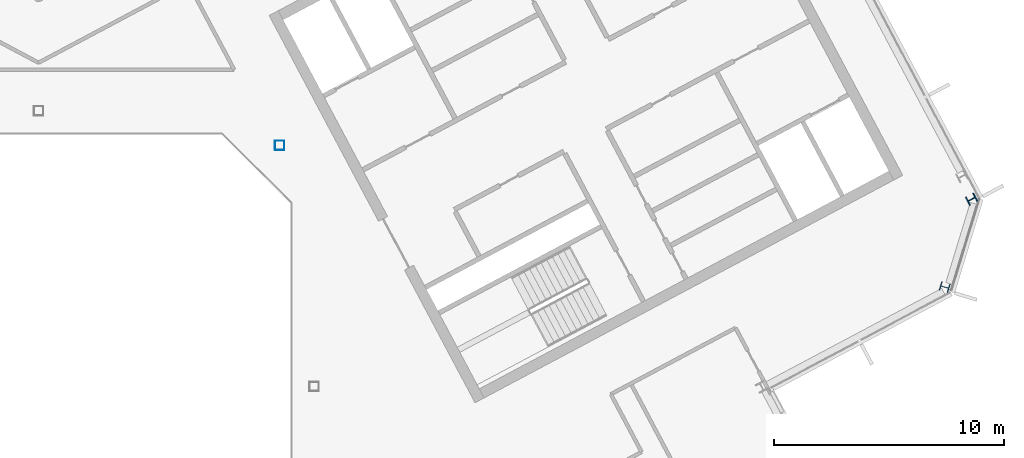
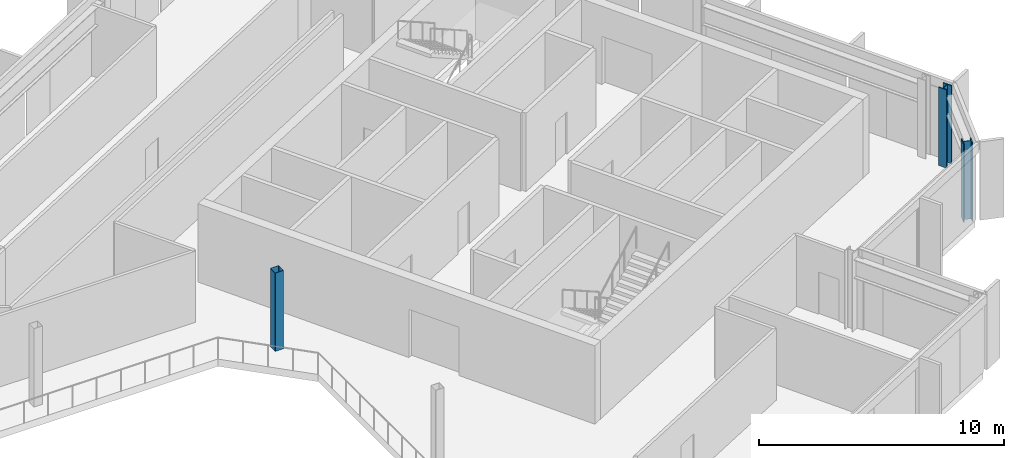
# One storey, part 6 of 26: 3 columns.
"""IFC4 building model written with IfcOpenShell, lengths in metres."""

from ifc_helpers import new_model, si_unit, direction, frame, origin, origin_2d, place, context, subcontext, project, spatial, hollow_rectangle, i_section, extrude, material, material_profile, profile_set, type_object, element, save


model = new_model("IFC4")

# Units and contexts
model_context = context("Model", 3, precision=1e-05, world=origin(), true_north=direction((0.0, 1.0)))
body_context = subcontext(model_context, "Body", "Model", "MODEL_VIEW")
ifc_project = project(units=[si_unit("LENGTHUNIT", "METRE"), si_unit("AREAUNIT", "SQUARE_METRE"), si_unit("VOLUMEUNIT", "CUBIC_METRE"), si_unit("PLANEANGLEUNIT", "RADIAN"), si_unit("MASSUNIT", "GRAM", prefix="KILO")], contexts=[model_context])

# Site, building, storey
site_placement = place(None, origin())
site = spatial("IfcSite", under=ifc_project, at=site_placement, CompositionType="ELEMENT")
building_placement = place(site_placement, origin())
building = spatial("IfcBuilding", under=site, at=building_placement, Name="Cormorant Relay Tower", CompositionType="ELEMENT")
storey_placement = place(building_placement, frame((0.0, 0.0, 285.300048828125)))
storey = spatial("IfcBuildingStorey", under=building, at=storey_placement, Name="L64", CompositionType="ELEMENT", Elevation=285.300048828125)

# Columns
ifc_material_1 = material(Name="Steel ASTM A500 Grade C (Fy 345 MPa)", Category="steel")
ifc_material_profile_1 = material_profile(ifc_material_1, hollow_rectangle(XDim=0.406494140625, YDim=0.406494140625, WallThickness=0.0087890625, InnerFilletRadius=0.00439453125, OuterFilletRadius=0.01318359375, at=origin_2d()), Name="HSS406x406x9")
ifc_profile_set_1 = profile_set([ifc_material_profile_1], Name="Steel ASTM A500 Grade C (Fy 345 MPa)")
column_type_1 = type_object("IfcColumnType", Name="Column HSS406x406x9", PredefinedType="COLUMN", material=ifc_profile_set_1)
column_placement = place(storey_placement, frame((10.5, 10.5, 0.0), z_axis=(0.0, 0.0, 1.0), x_axis=(1.0, 0.0, 0.0)))
element("IfcColumn", 1, at=column_placement, inside=storey, type_object=column_type_1, Name="Column L64-024", PredefinedType="COLUMN", context=body_context, shape_type="SweptSolid", body=[
    extrude(hollow_rectangle(XDim=0.406494140625, YDim=0.406494140625, WallThickness=0.0087890625, InnerFilletRadius=0.00439453125, OuterFilletRadius=0.01318359375, at=origin_2d()), origin(), (0.0, 0.0, 1.0), 3.89990234375),
])
ifc_material_2 = material(Name="Steel ASTM A992 (Fy 345 MPa)", Category="steel")
ifc_material_profile_2 = material_profile(ifc_material_2, i_section(OverallWidth=0.40380859375, OverallDepth=0.406494140625, WebThickness=0.027099609375, FlangeThickness=0.043701171875, FilletRadius=0.01513671875, at=origin_2d()), Name="W360x347")
ifc_profile_set_2 = profile_set([ifc_material_profile_2], Name="Steel ASTM A992 (Fy 345 MPa)")
column_type_2 = type_object("IfcColumnType", Name="Column W360x347", PredefinedType="COLUMN", material=ifc_profile_set_2)
for number, where, z_axis, x_axis, name in (
    (2, (39.464111328125, 4.330078125, 0.0), (0.0, 0.0, 1.0), (0.292371704723, 0.956304755963, 0.0), "Column L64-019"),
    (3, (40.633056640625, 8.153076171875, 0.0), (0.0, 0.0, 1.0), (-0.469471562786, 0.882947592859, 0.0), "Column L64-020"),
):
    element("IfcColumn", number, at=place(storey_placement, frame(where, z_axis=z_axis, x_axis=x_axis)), inside=storey, type_object=column_type_2, Name=name, PredefinedType="COLUMN", context=body_context, shape_type="SweptSolid", body=[
        extrude(i_section(OverallWidth=0.40380859375, OverallDepth=0.406494140625, WebThickness=0.027099609375, FlangeThickness=0.043701171875, FilletRadius=0.01513671875, at=origin_2d()), origin(), (0.0, 0.0, 1.0), 3.89990234375),
    ])

save(model, "model.ifc")
